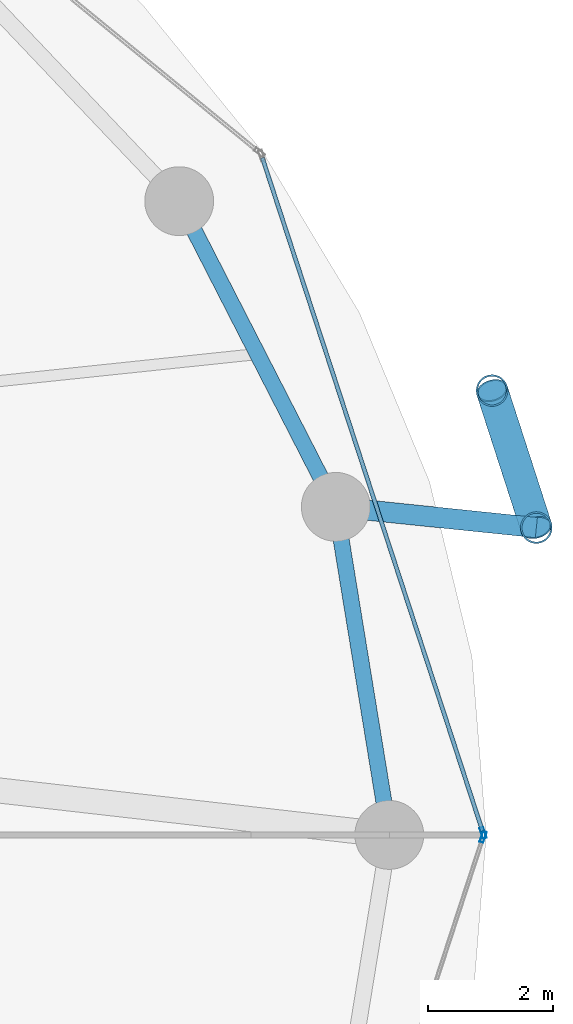
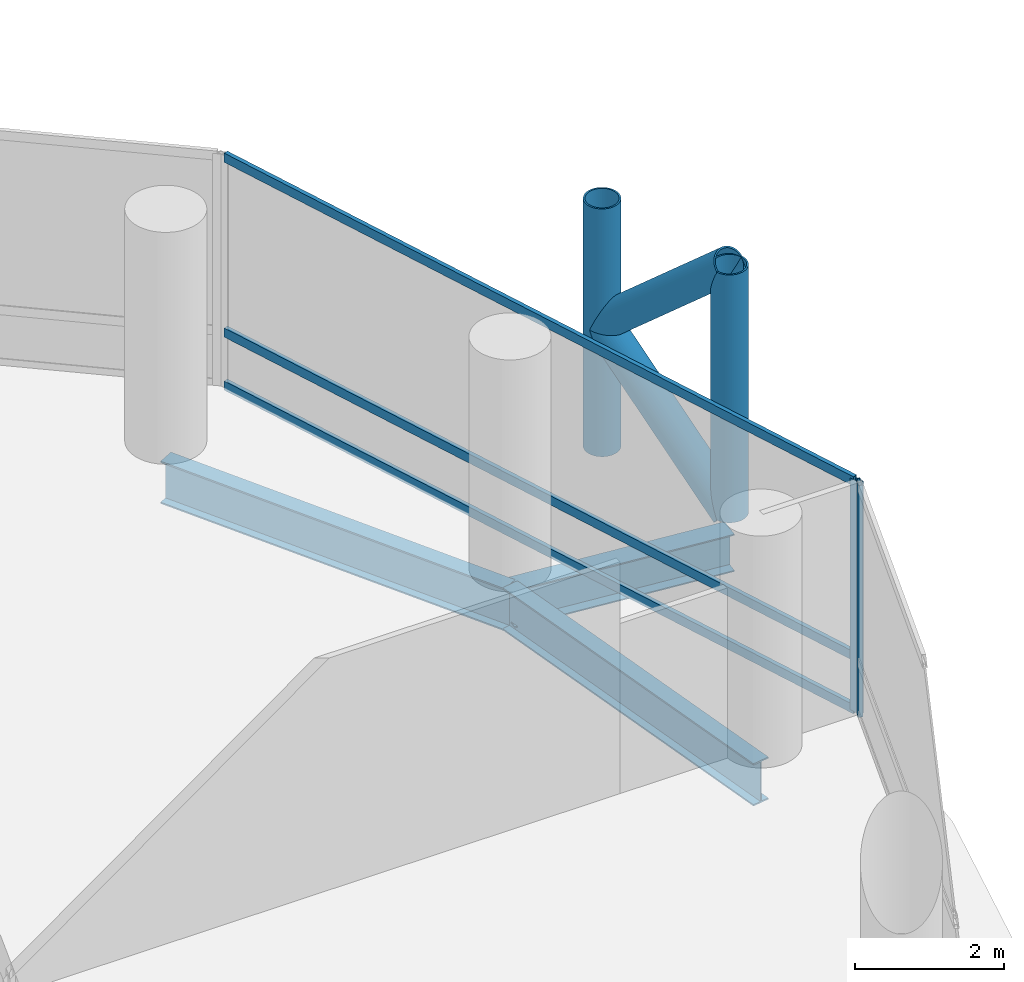
# One storey, part 12 of 24: 9 members, 3 beams, 2 elements without a shape of their own.
"""IFC4 building model written with IfcOpenShell, lengths in metres."""

from ifc_helpers import new_model, si_unit, direction, frame, origin, origin_2d, place, context, subcontext, project, spatial, hollow_rectangle, hollow_circle, i_section, extrude, material, layer, layer_set, material_profile, profile_set, type_object, element, aggregate, save


model = new_model("IFC4")

# Units and contexts
model_context = context("Model", 3, precision=1e-05, world=origin(), true_north=direction((0.0, 1.0)))
body_context = subcontext(model_context, "Body", "Model", "MODEL_VIEW")
ifc_project = project(units=[si_unit("LENGTHUNIT", "METRE"), si_unit("AREAUNIT", "SQUARE_METRE"), si_unit("VOLUMEUNIT", "CUBIC_METRE"), si_unit("PLANEANGLEUNIT", "RADIAN"), si_unit("MASSUNIT", "GRAM", prefix="KILO")], contexts=[model_context])

# Site, building, storey
site_placement = place(None, origin())
site = spatial("IfcSite", under=ifc_project, at=site_placement, CompositionType="ELEMENT")
building_placement = place(site_placement, origin())
building = spatial("IfcBuilding", under=site, at=building_placement, Name="Nuhasar Tower", CompositionType="ELEMENT")
storey_placement = place(building_placement, frame((0.0, 0.0, 41.25)))
storey = spatial("IfcBuildingStorey", under=building, at=storey_placement, Name="L09", CompositionType="ELEMENT", Elevation=41.25)

# Beams
ifc_material_1 = material(Name="Steel S355", Category="steel")
ifc_material_profile_1 = material_profile(ifc_material_1, i_section(OverallWidth=0.256103515625, OverallDepth=0.693115234375, WebThickness=0.014404296875, FlangeThickness=0.023681640625, at=origin_2d()), Name="W27X114")
ifc_profile_set_1 = profile_set([ifc_material_profile_1], Name="Steel S355")
beam_type_1 = type_object("IfcBeamType", Name="BM-RING-W27X114", PredefinedType="SPANDREL", material=ifc_profile_set_1)
beam_1_placement = place(storey_placement, frame((64.050048828125, 26.800048828125, -0.60595703125), z_axis=(-0.160826635486, 0.986982671235, 0.0), x_axis=(-0.986982671235, -0.160826635486, 0.0)))
element("IfcBeam", 1, at=beam_1_placement, inside=storey, type_object=beam_type_1, Name="L09 Perimeter Ring Spandrel 01", PredefinedType="SPANDREL", context=body_context, shape_type="SweptSolid", body=[
    extrude(i_section(OverallWidth=0.256103515625, OverallDepth=0.693115234375, WebThickness=0.014404296875, FlangeThickness=0.023681640625, at=origin_2d()), origin(), (0.0, 0.0, 1.0), 5.31005859375),
])
beam_2_placement = place(storey_placement, frame((63.196044921875, 32.041015625, -0.60595703125), z_axis=(-0.455930023905, 0.890015625314, 0.0), x_axis=(-0.890015625314, -0.455930023905, 0.0)))
element("IfcBeam", 2, at=beam_2_placement, inside=storey, type_object=beam_type_1, Name="L09 Perimeter Ring Spandrel 02", PredefinedType="SPANDREL", context=body_context, shape_type="SweptSolid", body=[
    extrude(i_section(OverallWidth=0.256103515625, OverallDepth=0.693115234375, WebThickness=0.014404296875, FlangeThickness=0.023681640625, at=origin_2d()), origin(), (0.0, 0.0, 1.0), 5.487548828125),
])
ifc_material_profile_2 = material_profile(ifc_material_1, i_section(OverallWidth=0.323974609375, OverallDepth=0.611083984375, WebThickness=0.0126953125, FlangeThickness=0.01904296875, at=origin_2d()), Name="W24X104")
ifc_profile_set_2 = profile_set([ifc_material_profile_2], Name="Steel S355")
beam_type_2 = type_object("IfcBeamType", Name="BM-TIE-W24X104", PredefinedType="BEAM", material=ifc_profile_set_2)
beam_3_placement = place(storey_placement, frame((63.196044921875, 32.041015625, -0.56591796875), z_axis=(0.994703825606, -0.102782777377, 0.0), x_axis=(0.102782777377, 0.994703825606, 0.0)))
element("IfcBeam", 3, at=beam_3_placement, inside=storey, type_object=beam_type_2, Name="L09 Exoskeleton Node Tie Beam 01", PredefinedType="BEAM", context=body_context, shape_type="SweptSolid", body=[
    extrude(i_section(OverallWidth=0.323974609375, OverallDepth=0.611083984375, WebThickness=0.0126953125, FlangeThickness=0.01904296875, at=origin_2d()), origin(), (0.0, 0.0, 1.0), 3.220947265625),
])

# Curtain wall, member
ifc_material_2 = material(Name="Aluminium 6063-T6", Category="aluminium")
ifc_layer = layer(ifc_material_2, 0.199951171875)
ifc_layer_set = layer_set([ifc_layer], Name="Aluminium 6063-T6")
curtain_wall_type = type_object("IfcCurtainWallType", Name="CW-Z1-OFF", PredefinedType="NOTDEFINED", material=ifc_layer_set)
curtain_wall_1_placement = place(storey_placement, origin())
curtain_wall_1 = element("IfcCurtainWall", 4, at=curtain_wall_1_placement, inside=storey, type_object=curtain_wall_type, Name="L09 Unitised Curtain Wall 01", PredefinedType="NOTDEFINED")
ifc_material_profile_3 = material_profile(ifc_material_2, hollow_rectangle(XDim=0.06494140625, YDim=0.179931640625, WallThickness=0.0048828125, at=origin_2d()), Name="CWM-2")
ifc_profile_set_3 = profile_set([ifc_material_profile_3], Name="Aluminium 6063-T6")
member_type_1 = type_object("IfcMemberType", Name="CW-MUL-S2", PredefinedType="MULLION", material=ifc_profile_set_3)
member_1_placement = place(storey_placement, frame((65.5498046875, 26.830810546875, 0.0), z_axis=(0.0, 0.0, 1.0), x_axis=(-0.950467534571, -0.310823849997, 0.0)))
member_1 = element("IfcMember", 5, at=member_1_placement, type_object=member_type_1, Name="CW-Z1 mullion 1", PredefinedType="MULLION", context=body_context, shape_type="SweptSolid", body=[
    extrude(hollow_rectangle(XDim=0.06494140625, YDim=0.179931640625, WallThickness=0.0048828125, at=origin_2d()), origin(), (0.0, 0.0, 1.0), 3.7900390625),
])

curtain_wall_2_placement = place(storey_placement, origin())
curtain_wall_2 = element("IfcCurtainWall", 6, at=curtain_wall_2_placement, inside=storey, type_object=curtain_wall_type, Name="L09 Unitised Curtain Wall 12", PredefinedType="NOTDEFINED")
member_2_placement = place(storey_placement, frame((65.5498046875, 26.76904296875, 0.0), z_axis=(0.0, 0.0, 1.0), x_axis=(-0.950467534571, 0.310823849997, 0.0)))
member_2 = element("IfcMember", 7, at=member_2_placement, type_object=member_type_1, Name="CW-Z1 mullion 2", PredefinedType="MULLION", context=body_context, shape_type="SweptSolid", body=[
    extrude(hollow_rectangle(XDim=0.06494140625, YDim=0.179931640625, WallThickness=0.0048828125, at=origin_2d()), origin(), (0.0, 0.0, 1.0), 3.7900390625),
])
aggregate(curtain_wall_2, [member_2])

# Member
ifc_material_profile_4 = material_profile(ifc_material_2, hollow_rectangle(XDim=0.06494140625, YDim=0.14990234375, WallThickness=0.00439453125, at=origin_2d()), Name="CWT-2")
ifc_profile_set_4 = profile_set([ifc_material_profile_4], Name="Aluminium 6063-T6")
member_type_2 = type_object("IfcMemberType", Name="CW-TRN-S2", PredefinedType="USERDEFINED", material=ifc_profile_set_4)
member_3_placement = place(storey_placement, frame((65.539794921875, 26.86181640625, 0.032470703125), z_axis=(-0.31082506089, 0.950467138581, 0.0), x_axis=(-0.950467138581, -0.31082506089, 0.0)))
member_3 = element("IfcMember", 8, at=member_3_placement, type_object=member_type_2, Name="CW-Z1 transom 1.1", ObjectType="TRANSOM", PredefinedType="USERDEFINED", context=body_context, shape_type="SweptSolid", body=[
    extrude(hollow_rectangle(XDim=0.06494140625, YDim=0.14990234375, WallThickness=0.00439453125, at=origin_2d()), origin(), (0.0, 0.0, 1.0), 11.31689453125),
])

member_4_placement = place(storey_placement, frame((65.539794921875, 26.86181640625, 0.89990234375), z_axis=(-0.31082506089, 0.950467138581, 0.0), x_axis=(-0.950467138581, -0.31082506089, 0.0)))
member_4 = element("IfcMember", 9, at=member_4_placement, type_object=member_type_2, Name="CW-Z1 transom 1.2", ObjectType="TRANSOM", PredefinedType="USERDEFINED", context=body_context, shape_type="SweptSolid", body=[
    extrude(hollow_rectangle(XDim=0.06494140625, YDim=0.14990234375, WallThickness=0.00439453125, at=origin_2d()), origin(), (0.0, 0.0, 1.0), 11.31689453125),
])

member_5_placement = place(storey_placement, frame((65.539794921875, 26.86181640625, 3.757568359375), z_axis=(-0.31082506089, 0.950467138581, 0.0), x_axis=(-0.950467138581, -0.31082506089, 0.0)))
member_5 = element("IfcMember", 10, at=member_5_placement, type_object=member_type_2, Name="CW-Z1 transom 1.3", ObjectType="TRANSOM", PredefinedType="USERDEFINED", context=body_context, shape_type="SweptSolid", body=[
    extrude(hollow_rectangle(XDim=0.06494140625, YDim=0.14990234375, WallThickness=0.00439453125, at=origin_2d()), origin(), (0.0, 0.0, 1.0), 11.31689453125),
])

aggregate(curtain_wall_1, [member_1, member_3, member_4, member_5])

# Members
ifc_material_3 = material(Name="Steel S460", Category="steel")
ifc_material_profile_5 = material_profile(ifc_material_3, hollow_circle(Radius=0.25390625, WallThickness=0.025390625, at=origin_2d()), Name="HSS508X25.4")
ifc_profile_set_5 = profile_set([ifc_material_profile_5], Name="Steel S460")
member_type_3 = type_object("IfcMemberType", Name="EXO-BRONZE-508", PredefinedType="BRACE", material=ifc_profile_set_5)
for number, where, z_axis, x_axis, name in (
    (11, (66.39990234375, 31.7099609375, 0.0), (0.0, 0.0, 1.0), (1.0, 0.0, 0.0), "L09 Exoskeleton Chord Column EC-01A"),
    (12, (65.69189453125, 33.89892578125, 0.0), (0.0, 0.0, 1.0), (1.0, 0.0, 0.0), "L09 Exoskeleton Chord Column EC-01B"),
):
    element("IfcMember", number, at=place(storey_placement, frame(where, z_axis=z_axis, x_axis=x_axis)), inside=storey, type_object=member_type_3, Name=name, PredefinedType="BRACE", context=body_context, shape_type="SweptSolid", body=[
        extrude(hollow_circle(Radius=0.25390625, WallThickness=0.025390625, at=origin_2d()), origin(), (0.0, 0.0, 1.0), 4.050048828125),
    ])
member_6_placement = place(storey_placement, frame((66.39990234375, 31.7099609375, 0.0), z_axis=(-0.231011836313, 0.714224870475, 0.660693851854), x_axis=(-0.951468282519, -0.307746823478, 0.0)))
element("IfcMember", 13, at=member_6_placement, inside=storey, type_object=member_type_3, Name="L09 Bronze Diagrid Brace W1-01", PredefinedType="BRACE", context=body_context, shape_type="SweptSolid", body=[
    extrude(hollow_circle(Radius=0.25390625, WallThickness=0.025390625, at=origin_2d()), origin(), (0.0, 0.0, 1.0), 3.064697265625),
])
member_7_placement = place(storey_placement, frame((65.69189453125, 33.89892578125, 2.02490234375), z_axis=(0.230999678299, -0.714187281251, 0.660738734997), x_axis=(0.951468282519, 0.307746823478, 0.0)))
element("IfcMember", 14, at=member_7_placement, inside=storey, type_object=member_type_3, Name="L09 Bronze Diagrid Brace W2-01", PredefinedType="BRACE", context=body_context, shape_type="SweptSolid", body=[
    extrude(hollow_circle(Radius=0.25390625, WallThickness=0.025390625, at=origin_2d()), origin(), (0.0, 0.0, 1.0), 3.06494140625),
])

save(model, "model.ifc")
